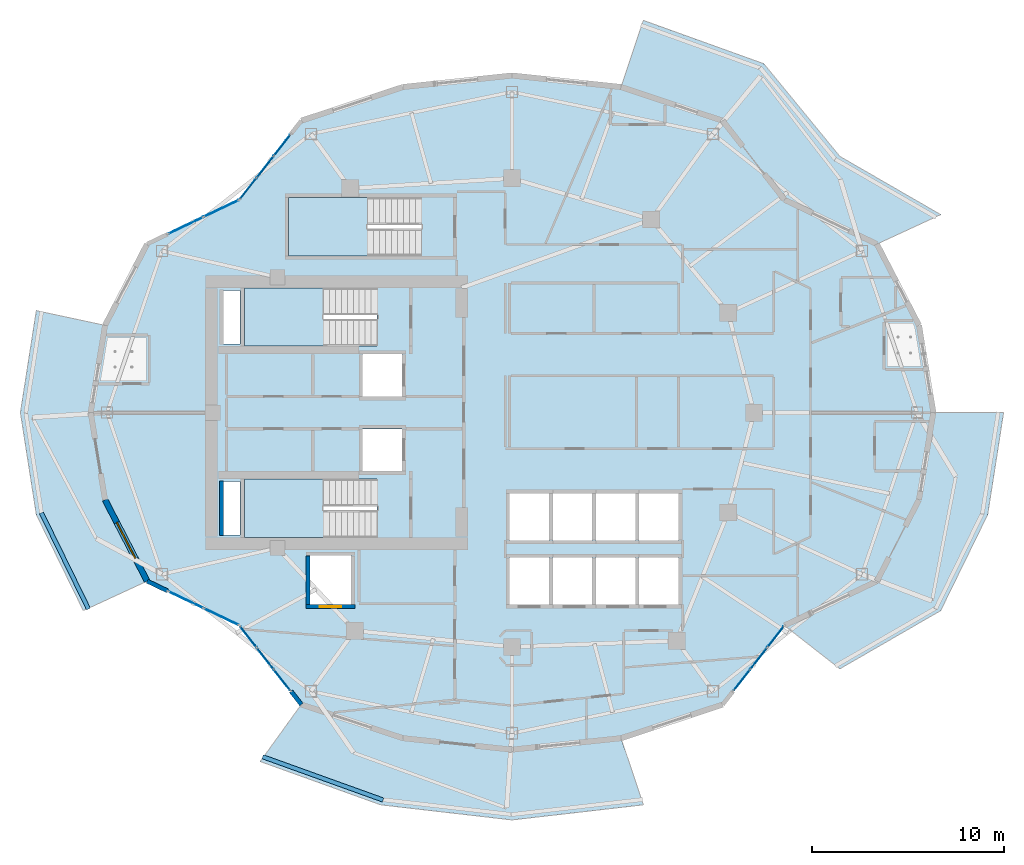
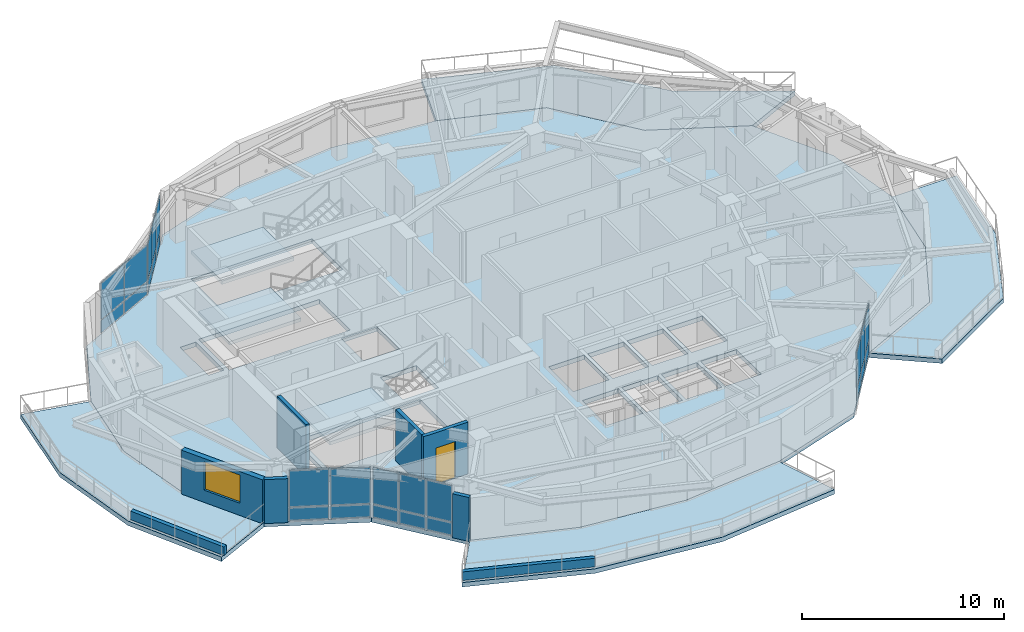
# One storey, part 7 of 19: 31 plates, 8 slabs, 8 walls, 1 door, 1 window, 2 openings, 8 elements without a shape of their own.
"""IFC4 building model written with IfcOpenShell, lengths in metres."""

from ifc_helpers import new_model, si_unit, direction, frame, frame_2d, origin, origin_2d, place, context, subcontext, project, spatial, polyline, rectangle, outline, extrude, material, layer, layer_set, type_object, element, fill, aggregate, save


model = new_model("IFC4")

# Units and contexts
model_context = context("Model", 3, precision=1e-05, world=origin(), true_north=direction((0.0, 1.0)))
body_context = subcontext(model_context, "Body", "Model", "MODEL_VIEW")
ifc_project = project(units=[si_unit("LENGTHUNIT", "METRE"), si_unit("AREAUNIT", "SQUARE_METRE"), si_unit("VOLUMEUNIT", "CUBIC_METRE"), si_unit("PLANEANGLEUNIT", "RADIAN"), si_unit("MASSUNIT", "GRAM", prefix="KILO")], contexts=[model_context])

# Site, building, storey
site_placement = place(None, origin())
site = spatial("IfcSite", under=ifc_project, at=site_placement, CompositionType="ELEMENT")
building_placement = place(site_placement, origin())
building = spatial("IfcBuilding", under=site, at=building_placement, Name="Kolvaren Gate Tower and Convention Centre", CompositionType="ELEMENT")
storey_placement = place(building_placement, frame((0.0, 0.0, 163.10009765625)))
storey = spatial("IfcBuildingStorey", under=building, at=storey_placement, Name="L42", CompositionType="ELEMENT", Elevation=163.10009765625)

# Plates
ifc_material_1 = material(Name="Perforated Anodized Bronze Aluminium Sheet 6 mm", Category="aluminium")
ifc_layer_1 = layer(ifc_material_1, 0.011962890625)
ifc_layer_set_1 = layer_set([ifc_layer_1], Name="Perforated Anodized Bronze Aluminium Sheet 6 mm")
plate_type_1 = type_object("IfcPlateType", Name="ARCH-PL-SCREEN-PERF", PredefinedType="SHEET", material=ifc_layer_set_1)
for number, where, z_axis, x_axis, name in (
    (1, (17.54638671875, 40.142333984375, 2.2900390625), (0.0, 0.0, 1.0), (0.616446487588, 0.787396804629, 0.0), "Tower L42 Perforated Bronze Solar Screen SS-08"),
    (2, (13.531494140625, 36.930419921875, 2.2900390625), (0.0, 0.0, 1.0), (0.901358389955, 0.433073957723, 0.0), "Tower L42 Perforated Bronze Solar Screen SS-09"),
    (3, (13.531494140625, 17.069580078125, 2.2900390625), (0.0, 0.0, 1.0), (0.901358389955, -0.433073957723, 0.0), "Tower L42 Perforated Bronze Solar Screen SS-14"),
    (4, (17.54638671875, 13.857666015625, 2.2900390625), (0.0, 0.0, 1.0), (0.616434119112, -0.787406487651, 0.0), "Tower L42 Perforated Bronze Solar Screen SS-15"),
    (5, (42.70361328125, 13.857666015625, 2.2900390625), (0.0, 0.0, 1.0), (0.616434119112, 0.787406487651, 0.0), "Tower L42 Perforated Bronze Solar Screen SS-20"),
):
    element("IfcPlate", number, at=place(storey_placement, frame(where, z_axis=z_axis, x_axis=x_axis)), inside=storey, type_object=plate_type_1, Name=name, PredefinedType="SHEET", context=body_context, shape_type="SweptSolid", body=[
        extrude(rectangle(XDim=2.60009765625, YDim=0.011962890625, at=origin_2d()), origin(), (0.0, 0.0, 1.0), 0.840087890625),
    ])

# Curtain wall, plates
ifc_material_2 = material(Name="Anodized Architectural Aluminium Alloy 6063-T6", Category="aluminium")
ifc_layer_2 = layer(ifc_material_2, 0.159912109375)
ifc_layer_set_2 = layer_set([ifc_layer_2], Name="Anodized Architectural Aluminium Alloy 6063-T6")
curtain_wall_type = type_object("IfcCurtainWallType", Name="CW-HTL-UNIT", PredefinedType="NOTDEFINED", material=ifc_layer_set_2)
curtain_wall_1_placement = place(storey_placement, origin())
curtain_wall_1 = element("IfcCurtainWall", 6, at=curtain_wall_1_placement, inside=storey, type_object=curtain_wall_type, Name="Tower L42 Unitised Curtain Wall CW-HTL-UNIT Bay 08", PredefinedType="NOTDEFINED")
ifc_material_3 = material(Name="Low-E Triple Insulated Glazing Unit 44 mm", Category="glass")
ifc_layer_3 = layer(ifc_material_3, 0.0439453125)
ifc_layer_set_3 = layer_set([ifc_layer_3], Name="Low-E Triple Insulated Glazing Unit 44 mm")
plate_type_2 = type_object("IfcPlateType", Name="CW-PL-IGU-44", PredefinedType="CURTAIN_PANEL", material=ifc_layer_set_3)
plate_1_placement = place(storey_placement, frame((16.39306640625, 38.669189453125, 0.88232421875), z_axis=(0.0, 0.0, 1.0), x_axis=(0.616449056034, 0.787394793807, 0.0)))
plate_1 = element("IfcPlate", 7, at=plate_1_placement, type_object=plate_type_2, Name="CW-03 panel 1.2", PredefinedType="CURTAIN_PANEL", context=body_context, shape_type="SweptSolid", body=[
    extrude(rectangle(XDim=1.3515625, YDim=0.0439453125, at=origin_2d()), origin(), (0.0, 0.0, 1.0), 2.1826171875),
])
plate_2_placement = place(storey_placement, frame((17.2763671875, 39.79736328125, 0.88232421875), z_axis=(0.0, 0.0, 1.0), x_axis=(0.616449056034, 0.787394793807, 0.0)))
plate_2 = element("IfcPlate", 8, at=plate_2_placement, type_object=plate_type_2, Name="CW-03 panel 2.2", PredefinedType="CURTAIN_PANEL", context=body_context, shape_type="SweptSolid", body=[
    extrude(rectangle(XDim=1.384033203125, YDim=0.0439453125, at=origin_2d()), origin(), (0.0, 0.0, 1.0), 2.1826171875),
])
plate_3_placement = place(storey_placement, frame((18.15966796875, 40.925537109375, 0.88232421875), z_axis=(0.0, 0.0, 1.0), x_axis=(0.616449056034, 0.787394793807, 0.0)))
plate_3 = element("IfcPlate", 9, at=plate_3_placement, type_object=plate_type_2, Name="CW-03 panel 3.2", PredefinedType="CURTAIN_PANEL", context=body_context, shape_type="SweptSolid", body=[
    extrude(rectangle(XDim=1.3515625, YDim=0.0439453125, at=origin_2d()), origin(), (0.0, 0.0, 1.0), 2.1826171875),
])

curtain_wall_2_placement = place(storey_placement, origin())
curtain_wall_2 = element("IfcCurtainWall", 10, at=curtain_wall_2_placement, inside=storey, type_object=curtain_wall_type, Name="Tower L42 Unitised Curtain Wall CW-HTL-UNIT Bay 09", PredefinedType="NOTDEFINED")
plate_4_placement = place(storey_placement, frame((13.14208984375, 36.743408203125, 0.88232421875), z_axis=(0.0, 0.0, 1.0), x_axis=(0.901362639973, 0.433065112035, 0.0)))
plate_4 = element("IfcPlate", 11, at=plate_4_placement, type_object=plate_type_2, Name="CW-03 panel 1.2", PredefinedType="CURTAIN_PANEL", context=body_context, shape_type="SweptSolid", body=[
    extrude(rectangle(XDim=1.980224609375, YDim=0.0439453125, at=origin_2d()), origin(), (0.0, 0.0, 1.0), 2.1826171875),
])
plate_5_placement = place(storey_placement, frame((14.985595703125, 37.629150390625, 0.88232421875), z_axis=(0.0, 0.0, 1.0), x_axis=(0.901362639973, 0.433065112035, 0.0)))
plate_5 = element("IfcPlate", 12, at=plate_5_placement, type_object=plate_type_2, Name="CW-03 panel 2.2", PredefinedType="CURTAIN_PANEL", context=body_context, shape_type="SweptSolid", body=[
    extrude(rectangle(XDim=1.980224609375, YDim=0.0439453125, at=origin_2d()), origin(), (0.0, 0.0, 1.0), 2.1826171875),
])

curtain_wall_3_placement = place(storey_placement, origin())
curtain_wall_3 = element("IfcCurtainWall", 13, at=curtain_wall_3_placement, inside=storey, type_object=curtain_wall_type, Name="Tower L42 Unitised Curtain Wall CW-HTL-UNIT Bay 14", PredefinedType="NOTDEFINED")
plate_6_placement = place(storey_placement, frame((13.14208984375, 17.256591796875, 0.88232421875), z_axis=(0.0, 0.0, 1.0), x_axis=(0.901362639973, -0.433065112035, 0.0)))
plate_6 = element("IfcPlate", 14, at=plate_6_placement, type_object=plate_type_2, Name="CW-03 panel 1.2", PredefinedType="CURTAIN_PANEL", context=body_context, shape_type="SweptSolid", body=[
    extrude(rectangle(XDim=1.980224609375, YDim=0.0439453125, at=origin_2d()), origin(), (0.0, 0.0, 1.0), 2.1826171875),
])
plate_7_placement = place(storey_placement, frame((14.985595703125, 16.370849609375, 0.88232421875), z_axis=(0.0, 0.0, 1.0), x_axis=(0.901362639973, -0.433065112035, 0.0)))
plate_7 = element("IfcPlate", 15, at=plate_7_placement, type_object=plate_type_2, Name="CW-03 panel 2.2", PredefinedType="CURTAIN_PANEL", context=body_context, shape_type="SweptSolid", body=[
    extrude(rectangle(XDim=1.980224609375, YDim=0.0439453125, at=origin_2d()), origin(), (0.0, 0.0, 1.0), 2.1826171875),
])

curtain_wall_4_placement = place(storey_placement, origin())
curtain_wall_4 = element("IfcCurtainWall", 16, at=curtain_wall_4_placement, inside=storey, type_object=curtain_wall_type, Name="Tower L42 Unitised Curtain Wall CW-HTL-UNIT Bay 15", PredefinedType="NOTDEFINED")
plate_8_placement = place(storey_placement, frame((16.39306640625, 15.330810546875, 0.88232421875), z_axis=(0.0, 0.0, 1.0), x_axis=(0.616423627213, -0.787414701294, 0.0)))
plate_8 = element("IfcPlate", 17, at=plate_8_placement, type_object=plate_type_2, Name="CW-03 panel 1.2", PredefinedType="CURTAIN_PANEL", context=body_context, shape_type="SweptSolid", body=[
    extrude(rectangle(XDim=1.3515625, YDim=0.0439453125, at=origin_2d()), origin(), (0.0, 0.0, 1.0), 2.1826171875),
])
plate_9_placement = place(storey_placement, frame((17.2763671875, 14.20263671875, 0.88232421875), z_axis=(0.0, 0.0, 1.0), x_axis=(0.616423627213, -0.787414701294, 0.0)))
plate_9 = element("IfcPlate", 18, at=plate_9_placement, type_object=plate_type_2, Name="CW-03 panel 2.2", PredefinedType="CURTAIN_PANEL", context=body_context, shape_type="SweptSolid", body=[
    extrude(rectangle(XDim=1.384033203125, YDim=0.0439453125, at=origin_2d()), origin(), (0.0, 0.0, 1.0), 2.1826171875),
])
plate_10_placement = place(storey_placement, frame((18.159423828125, 13.074462890625, 0.88232421875), z_axis=(0.0, 0.0, 1.0), x_axis=(0.616423627213, -0.787414701294, 0.0)))
plate_10 = element("IfcPlate", 19, at=plate_10_placement, type_object=plate_type_2, Name="CW-03 panel 3.2", PredefinedType="CURTAIN_PANEL", context=body_context, shape_type="SweptSolid", body=[
    extrude(rectangle(XDim=1.3515625, YDim=0.0439453125, at=origin_2d()), origin(), (0.0, 0.0, 1.0), 2.1826171875),
])

curtain_wall_5_placement = place(storey_placement, origin())
curtain_wall_5 = element("IfcCurtainWall", 20, at=curtain_wall_5_placement, inside=storey, type_object=curtain_wall_type, Name="Tower L42 Unitised Curtain Wall CW-HTL-UNIT Bay 20", PredefinedType="NOTDEFINED")
plate_11_placement = place(storey_placement, frame((42.09033203125, 13.074462890625, 0.88232421875), z_axis=(0.0, 0.0, 1.0), x_axis=(0.616437890084, 0.787403535469, 0.0)))
plate_11 = element("IfcPlate", 21, at=plate_11_placement, type_object=plate_type_2, Name="CW-03 panel 1.2", PredefinedType="CURTAIN_PANEL", context=body_context, shape_type="SweptSolid", body=[
    extrude(rectangle(XDim=1.3515625, YDim=0.0439453125, at=origin_2d()), origin(), (0.0, 0.0, 1.0), 2.1826171875),
])
plate_12_placement = place(storey_placement, frame((42.9736328125, 14.20263671875, 0.88232421875), z_axis=(0.0, 0.0, 1.0), x_axis=(0.616437890084, 0.787403535469, 0.0)))
plate_12 = element("IfcPlate", 22, at=plate_12_placement, type_object=plate_type_2, Name="CW-03 panel 2.2", PredefinedType="CURTAIN_PANEL", context=body_context, shape_type="SweptSolid", body=[
    extrude(rectangle(XDim=1.384033203125, YDim=0.0439453125, at=origin_2d()), origin(), (0.0, 0.0, 1.0), 2.1826171875),
])
plate_13_placement = place(storey_placement, frame((43.85693359375, 15.330810546875, 0.88232421875), z_axis=(0.0, 0.0, 1.0), x_axis=(0.616437890084, 0.787403535469, 0.0)))
plate_13 = element("IfcPlate", 23, at=plate_13_placement, type_object=plate_type_2, Name="CW-03 panel 3.2", PredefinedType="CURTAIN_PANEL", context=body_context, shape_type="SweptSolid", body=[
    extrude(rectangle(XDim=1.3515625, YDim=0.0439453125, at=origin_2d()), origin(), (0.0, 0.0, 1.0), 2.1826171875),
])

# Plate
ifc_material_4 = material(Name="Solar-Control Laminated Curtain Glazing 36 mm", Category="glass")
ifc_layer_4 = layer(ifc_material_4, 0.035888671875)
ifc_layer_set_4 = layer_set([ifc_layer_4], Name="Solar-Control Laminated Curtain Glazing 36 mm")
plate_type_3 = type_object("IfcPlateType", Name="CW-PL-SPAN-36", PredefinedType="CURTAIN_PANEL", material=ifc_layer_set_4)
plate_14_placement = place(storey_placement, frame((16.39306640625, 38.669189453125, 0.06494140625), z_axis=(0.0, 0.0, 1.0), x_axis=(0.616449056034, 0.787394793807, 0.0)))
plate_14 = element("IfcPlate", 24, at=plate_14_placement, type_object=plate_type_3, Name="CW-03 panel 1.1", PredefinedType="CURTAIN_PANEL", context=body_context, shape_type="SweptSolid", body=[
    extrude(rectangle(XDim=1.3515625, YDim=0.035888671875, at=origin_2d()), origin(), (0.0, 0.0, 1.0), 0.75244140625),
])

plate_15_placement = place(storey_placement, frame((17.2763671875, 39.79736328125, 0.06494140625), z_axis=(0.0, 0.0, 1.0), x_axis=(0.616449056034, 0.787394793807, 0.0)))
plate_15 = element("IfcPlate", 25, at=plate_15_placement, type_object=plate_type_3, Name="CW-03 panel 2.1", PredefinedType="CURTAIN_PANEL", context=body_context, shape_type="SweptSolid", body=[
    extrude(rectangle(XDim=1.384033203125, YDim=0.035888671875, at=origin_2d()), origin(), (0.0, 0.0, 1.0), 0.75244140625),
])

plate_16_placement = place(storey_placement, frame((18.15966796875, 40.925537109375, 0.06494140625), z_axis=(0.0, 0.0, 1.0), x_axis=(0.616449056034, 0.787394793807, 0.0)))
plate_16 = element("IfcPlate", 26, at=plate_16_placement, type_object=plate_type_3, Name="CW-03 panel 3.1", PredefinedType="CURTAIN_PANEL", context=body_context, shape_type="SweptSolid", body=[
    extrude(rectangle(XDim=1.3515625, YDim=0.035888671875, at=origin_2d()), origin(), (0.0, 0.0, 1.0), 0.75244140625),
])

aggregate(curtain_wall_1, [plate_14, plate_1, plate_15, plate_2, plate_16, plate_3])

plate_17_placement = place(storey_placement, frame((13.14208984375, 36.743408203125, 0.06494140625), z_axis=(0.0, 0.0, 1.0), x_axis=(0.901362639973, 0.433065112035, 0.0)))
plate_17 = element("IfcPlate", 27, at=plate_17_placement, type_object=plate_type_3, Name="CW-03 panel 1.1", PredefinedType="CURTAIN_PANEL", context=body_context, shape_type="SweptSolid", body=[
    extrude(rectangle(XDim=1.980224609375, YDim=0.035888671875, at=origin_2d()), origin(), (0.0, 0.0, 1.0), 0.75244140625),
])

plate_18_placement = place(storey_placement, frame((14.985595703125, 37.629150390625, 0.06494140625), z_axis=(0.0, 0.0, 1.0), x_axis=(0.901362639973, 0.433065112035, 0.0)))
plate_18 = element("IfcPlate", 28, at=plate_18_placement, type_object=plate_type_3, Name="CW-03 panel 2.1", PredefinedType="CURTAIN_PANEL", context=body_context, shape_type="SweptSolid", body=[
    extrude(rectangle(XDim=1.980224609375, YDim=0.035888671875, at=origin_2d()), origin(), (0.0, 0.0, 1.0), 0.75244140625),
])

aggregate(curtain_wall_2, [plate_17, plate_4, plate_18, plate_5])

plate_19_placement = place(storey_placement, frame((13.14208984375, 17.256591796875, 0.06494140625), z_axis=(0.0, 0.0, 1.0), x_axis=(0.901362639973, -0.433065112035, 0.0)))
plate_19 = element("IfcPlate", 29, at=plate_19_placement, type_object=plate_type_3, Name="CW-03 panel 1.1", PredefinedType="CURTAIN_PANEL", context=body_context, shape_type="SweptSolid", body=[
    extrude(rectangle(XDim=1.980224609375, YDim=0.035888671875, at=origin_2d()), origin(), (0.0, 0.0, 1.0), 0.75244140625),
])

plate_20_placement = place(storey_placement, frame((14.985595703125, 16.370849609375, 0.06494140625), z_axis=(0.0, 0.0, 1.0), x_axis=(0.901362639973, -0.433065112035, 0.0)))
plate_20 = element("IfcPlate", 30, at=plate_20_placement, type_object=plate_type_3, Name="CW-03 panel 2.1", PredefinedType="CURTAIN_PANEL", context=body_context, shape_type="SweptSolid", body=[
    extrude(rectangle(XDim=1.980224609375, YDim=0.035888671875, at=origin_2d()), origin(), (0.0, 0.0, 1.0), 0.75244140625),
])

aggregate(curtain_wall_3, [plate_19, plate_6, plate_20, plate_7])

plate_21_placement = place(storey_placement, frame((16.39306640625, 15.330810546875, 0.06494140625), z_axis=(0.0, 0.0, 1.0), x_axis=(0.616423627213, -0.787414701294, 0.0)))
plate_21 = element("IfcPlate", 31, at=plate_21_placement, type_object=plate_type_3, Name="CW-03 panel 1.1", PredefinedType="CURTAIN_PANEL", context=body_context, shape_type="SweptSolid", body=[
    extrude(rectangle(XDim=1.3515625, YDim=0.035888671875, at=origin_2d()), origin(), (0.0, 0.0, 1.0), 0.75244140625),
])

plate_22_placement = place(storey_placement, frame((17.2763671875, 14.20263671875, 0.06494140625), z_axis=(0.0, 0.0, 1.0), x_axis=(0.616423627213, -0.787414701294, 0.0)))
plate_22 = element("IfcPlate", 32, at=plate_22_placement, type_object=plate_type_3, Name="CW-03 panel 2.1", PredefinedType="CURTAIN_PANEL", context=body_context, shape_type="SweptSolid", body=[
    extrude(rectangle(XDim=1.384033203125, YDim=0.035888671875, at=origin_2d()), origin(), (0.0, 0.0, 1.0), 0.75244140625),
])

plate_23_placement = place(storey_placement, frame((18.159423828125, 13.074462890625, 0.06494140625), z_axis=(0.0, 0.0, 1.0), x_axis=(0.616423627213, -0.787414701294, 0.0)))
plate_23 = element("IfcPlate", 33, at=plate_23_placement, type_object=plate_type_3, Name="CW-03 panel 3.1", PredefinedType="CURTAIN_PANEL", context=body_context, shape_type="SweptSolid", body=[
    extrude(rectangle(XDim=1.3515625, YDim=0.035888671875, at=origin_2d()), origin(), (0.0, 0.0, 1.0), 0.75244140625),
])

aggregate(curtain_wall_4, [plate_21, plate_8, plate_22, plate_9, plate_23, plate_10])

plate_24_placement = place(storey_placement, frame((42.09033203125, 13.074462890625, 0.06494140625), z_axis=(0.0, 0.0, 1.0), x_axis=(0.616437890084, 0.787403535469, 0.0)))
plate_24 = element("IfcPlate", 34, at=plate_24_placement, type_object=plate_type_3, Name="CW-03 panel 1.1", PredefinedType="CURTAIN_PANEL", context=body_context, shape_type="SweptSolid", body=[
    extrude(rectangle(XDim=1.3515625, YDim=0.035888671875, at=origin_2d()), origin(), (0.0, 0.0, 1.0), 0.75244140625),
])

plate_25_placement = place(storey_placement, frame((42.9736328125, 14.20263671875, 0.06494140625), z_axis=(0.0, 0.0, 1.0), x_axis=(0.616437890084, 0.787403535469, 0.0)))
plate_25 = element("IfcPlate", 35, at=plate_25_placement, type_object=plate_type_3, Name="CW-03 panel 2.1", PredefinedType="CURTAIN_PANEL", context=body_context, shape_type="SweptSolid", body=[
    extrude(rectangle(XDim=1.384033203125, YDim=0.035888671875, at=origin_2d()), origin(), (0.0, 0.0, 1.0), 0.75244140625),
])

plate_26_placement = place(storey_placement, frame((43.85693359375, 15.330810546875, 0.06494140625), z_axis=(0.0, 0.0, 1.0), x_axis=(0.616437890084, 0.787403535469, 0.0)))
plate_26 = element("IfcPlate", 36, at=plate_26_placement, type_object=plate_type_3, Name="CW-03 panel 3.1", PredefinedType="CURTAIN_PANEL", context=body_context, shape_type="SweptSolid", body=[
    extrude(rectangle(XDim=1.3515625, YDim=0.035888671875, at=origin_2d()), origin(), (0.0, 0.0, 1.0), 0.75244140625),
])

aggregate(curtain_wall_5, [plate_24, plate_11, plate_25, plate_12, plate_26, plate_13])

# Slabs
ifc_material_5 = material(Name="Concrete C50/60", Category="concrete")
ifc_layer_5 = layer(ifc_material_5, 0.27001953125)
ifc_layer_set_5 = layer_set([ifc_layer_5], Name="Concrete C50/60")
slab_type_1 = type_object("IfcSlabType", Name="STR-SL-BALC-270", PredefinedType="FLOOR", material=ifc_layer_set_5)
slab_1_placement = place(storey_placement, frame((0.0, 0.0, -0.27001953125)))
element("IfcSlab", 37, at=slab_1_placement, inside=storey, type_object=slab_type_1, Name="Tower L42 Planted Balcony Terrace Slab 1 (North)", PredefinedType="FLOOR", context=body_context, shape_type="SweptSolid", body=[
    extrude(outline(polyline([(49.123291015625, 35.77490234375), (44.3134765625, 38.0859375), (41.09375, 42.19873046875), (35.802734375, 43.951904296875), (36.965087890625, 47.422607421875), (43.235595703125, 45.16650390625), (47.197509765625, 40.33935546875), (52.446044921875, 37.309814453125), (49.123291015625, 35.77490234375)])), origin(), (0.0, 0.0, 1.0), 0.27001953125),
])
slab_2_placement = place(storey_placement, frame((0.0, 0.0, -0.27001953125)))
element("IfcSlab", 38, at=slab_2_placement, inside=storey, type_object=slab_type_1, Name="Tower L42 Planted Balcony Terrace Slab 2 (West)", PredefinedType="FLOOR", context=body_context, shape_type="SweptSolid", body=[
    extrude(outline(polyline([(8.93505859375, 31.542236328125), (8.1875, 27.0), (8.93505859375, 22.457763671875), (11.126708984375, 18.22509765625), (7.803955078125, 16.690185546875), (5.356201171875, 21.690673828125), (4.527587890625, 27.0), (5.356201171875, 32.309326171875), (8.93505859375, 31.542236328125)])), origin(), (0.0, 0.0, 1.0), 0.27001953125),
])
slab_3_placement = place(storey_placement, frame((0.0, 0.0, -0.27001953125)))
element("IfcSlab", 39, at=slab_3_placement, inside=storey, type_object=slab_type_1, Name="Tower L42 Planted Balcony Terrace Slab 3 (South)", PredefinedType="FLOOR", context=body_context, shape_type="SweptSolid", body=[
    extrude(outline(polyline([(19.15625, 11.80126953125), (24.447265625, 10.048095703125), (30.125, 9.449951171875), (35.802734375, 10.048095703125), (36.965087890625, 6.577392578125), (30.125, 5.7900390625), (23.284912109375, 6.577392578125), (17.014404296875, 8.83349609375), (19.15625, 11.80126953125)])), origin(), (0.0, 0.0, 1.0), 0.27001953125),
])
slab_4_placement = place(storey_placement, frame((0.0, 0.0, -0.27001953125)))
element("IfcSlab", 40, at=slab_4_placement, inside=storey, type_object=slab_type_1, Name="Tower L42 Planted Balcony Terrace Slab 4 (East)", PredefinedType="FLOOR", context=body_context, shape_type="SweptSolid", body=[
    extrude(outline(polyline([(44.3134765625, 15.9140625), (49.123291015625, 18.22509765625), (51.31494140625, 22.457763671875), (52.0625, 27.0), (55.722412109375, 27.0), (54.893798828125, 21.690673828125), (52.446044921875, 16.690185546875), (47.197509765625, 13.66064453125), (44.3134765625, 15.9140625)])), origin(), (0.0, 0.0, 1.0), 0.27001953125),
])
ifc_material_6 = material(Name="Concrete C40/50", Category="concrete")
ifc_layer_6 = layer(ifc_material_6, 0.27001953125)
ifc_layer_set_6 = layer_set([ifc_layer_6], Name="Concrete C40/50")
slab_type_2 = type_object("IfcSlabType", Name="STR-SL-FLR-270", PredefinedType="FLOOR", material=ifc_layer_set_6)
slab_5_placement = place(storey_placement, frame((0.0, 0.0, -0.27001953125)))
element("IfcSlab", 41, at=slab_5_placement, inside=storey, type_object=slab_type_2, Name="Tower L42 Structural Floor Slab", PredefinedType="FLOOR", context=body_context, shape_type="SweptSolid", body=[
    extrude(outline(polyline([(52.0625, 27.0), (51.31494140625, 31.542236328125), (49.123291015625, 35.77490234375), (44.3134765625, 38.0859375), (41.09375, 42.19873046875), (35.802734375, 43.951904296875), (30.125, 44.550048828125), (24.447265625, 43.951904296875), (19.15625, 42.19873046875), (15.9365234375, 38.0859375), (11.126708984375, 35.77490234375), (8.93505859375, 31.542236328125), (8.1875, 27.0), (8.93505859375, 22.457763671875), (11.126708984375, 18.22509765625), (15.9365234375, 15.9140625), (19.15625, 11.80126953125), (24.447265625, 10.048095703125), (30.125, 9.449951171875), (35.802734375, 10.048095703125), (41.09375, 11.80126953125), (44.3134765625, 15.9140625), (49.123291015625, 18.22509765625), (51.31494140625, 22.457763671875), (52.0625, 27.0)]), holes=[polyline([(36.75, 17.0), (36.75, 19.449951171875), (38.800048828125, 19.449951171875), (38.800048828125, 17.0), (36.75, 17.0)]), polyline([(36.75, 20.35009765625), (36.75, 22.800048828125), (38.800048828125, 22.800048828125), (38.800048828125, 20.35009765625), (36.75, 20.35009765625)]), polyline([(34.5, 17.0), (34.5, 19.449951171875), (36.550048828125, 19.449951171875), (36.550048828125, 17.0), (34.5, 17.0)]), polyline([(34.5, 20.35009765625), (34.5, 22.800048828125), (36.550048828125, 22.800048828125), (36.550048828125, 20.35009765625), (34.5, 20.35009765625)]), polyline([(32.25, 17.0), (32.25, 19.449951171875), (34.300048828125, 19.449951171875), (34.300048828125, 17.0), (32.25, 17.0)]), polyline([(32.25, 20.35009765625), (32.25, 22.800048828125), (34.300048828125, 22.800048828125), (34.300048828125, 20.35009765625), (32.25, 20.35009765625)]), polyline([(30.0, 17.0), (30.0, 19.449951171875), (32.050048828125, 19.449951171875), (32.050048828125, 17.0), (30.0, 17.0)]), polyline([(30.0, 20.35009765625), (30.0, 22.800048828125), (32.050048828125, 22.800048828125), (32.050048828125, 20.35009765625), (30.0, 20.35009765625)]), polyline([(25.39990234375, 38.199951171875), (25.39990234375, 35.159912109375), (18.5, 35.159912109375), (18.5, 38.199951171875), (25.39990234375, 38.199951171875)]), polyline([(22.35009765625, 23.9599609375), (22.35009765625, 26.159912109375), (24.39990234375, 26.159912109375), (24.39990234375, 23.9599609375), (22.35009765625, 23.9599609375)]), polyline([(22.35009765625, 27.840087890625), (22.35009765625, 30.0400390625), (24.39990234375, 30.0400390625), (24.39990234375, 27.840087890625), (22.35009765625, 27.840087890625)]), polyline([(23.10009765625, 23.5400390625), (23.10009765625, 20.5), (16.199951171875, 20.5), (16.199951171875, 23.5400390625), (23.10009765625, 23.5400390625)]), polyline([(23.10009765625, 33.5), (23.10009765625, 30.4599609375), (16.199951171875, 30.4599609375), (16.199951171875, 33.5), (23.10009765625, 33.5)]), polyline([(19.60009765625, 17.0), (19.60009765625, 19.550048828125), (21.75, 19.550048828125), (21.75, 17.0), (19.60009765625, 17.0)]), polyline([(15.080078125, 20.6298828125), (15.080078125, 23.419921875), (15.969970703125, 23.419921875), (15.969970703125, 20.6298828125), (15.080078125, 20.6298828125)]), polyline([(15.080078125, 30.580078125), (15.080078125, 33.3701171875), (15.969970703125, 33.3701171875), (15.969970703125, 30.580078125), (15.080078125, 30.580078125)])]), origin(), (0.0, 0.0, 1.0), 0.27001953125),
])

# Stair, slab
stair_type = type_object("IfcStairType", Name="STR-STAIR-CORE", PredefinedType="HALF_TURN_STAIR", material=ifc_material_5)
stair_1_placement = place(storey_placement, origin())
stair_1 = element("IfcStair", 42, at=stair_1_placement, inside=storey, type_object=stair_type, Name="L42 Tower North Exit Stair ST-T1", PredefinedType="HALF_TURN_STAIR")
ifc_layer_7 = layer(ifc_material_5, 0.199951171875)
ifc_layer_set_7 = layer_set([ifc_layer_7], Name="Concrete C50/60")
slab_type_3 = type_object("IfcSlabType", Name="STR-SL-LAND-200", PredefinedType="LANDING", material=ifc_layer_set_7)
slab_6_placement = place(storey_placement, frame((0.0, 0.0, 1.5)))
slab_6 = element("IfcSlab", 43, at=slab_6_placement, type_object=slab_type_3, Name="ST-T1 landing 1", PredefinedType="LANDING", context=body_context, shape_type="SweptSolid", body=[
    extrude(outline(polyline([(20.31005859375, 33.5), (16.199951171875, 33.5), (16.199951171875, 30.4599609375), (20.31005859375, 30.4599609375), (20.31005859375, 33.5)])), origin(), (0.0, 0.0, 1.0), 0.199951171875),
])
aggregate(stair_1, [slab_6])

stair_2_placement = place(storey_placement, origin())
stair_2 = element("IfcStair", 44, at=stair_2_placement, inside=storey, type_object=stair_type, Name="L42 Tower South Exit Stair ST-T2", PredefinedType="HALF_TURN_STAIR")
slab_7_placement = place(storey_placement, frame((0.0, 0.0, 1.5)))
slab_7 = element("IfcSlab", 45, at=slab_7_placement, type_object=slab_type_3, Name="ST-T2 landing 1", PredefinedType="LANDING", context=body_context, shape_type="SweptSolid", body=[
    extrude(outline(polyline([(20.31005859375, 23.5400390625), (16.199951171875, 23.5400390625), (16.199951171875, 20.5), (20.31005859375, 20.5), (20.31005859375, 23.5400390625)])), origin(), (0.0, 0.0, 1.0), 0.199951171875),
])
aggregate(stair_2, [slab_7])

stair_3_placement = place(storey_placement, origin())
stair_3 = element("IfcStair", 46, at=stair_3_placement, inside=storey, type_object=stair_type, Name="L42 Tower Mid-Zone Exit Stair ST-T3", PredefinedType="HALF_TURN_STAIR")
slab_8_placement = place(storey_placement, frame((0.0, 0.0, 1.5)))
slab_8 = element("IfcSlab", 47, at=slab_8_placement, type_object=slab_type_3, Name="ST-T3 landing 1", PredefinedType="LANDING", context=body_context, shape_type="SweptSolid", body=[
    extrude(outline(polyline([(22.610107421875, 38.199951171875), (18.5, 38.199951171875), (18.5, 35.159912109375), (22.610107421875, 35.159912109375), (22.610107421875, 38.199951171875)])), origin(), (0.0, 0.0, 1.0), 0.199951171875),
])
aggregate(stair_3, [slab_8])

# Walls
ifc_material_7 = material(Name="Bogota Sabana Bush-Hammered Sandstone Cladding", Category="masonry")
ifc_layer_8 = layer(ifc_material_7, 0.219970703125)
ifc_layer_set_8 = layer_set([ifc_layer_8], Name="Bogota Sabana Bush-Hammered Sandstone Cladding")
wall_type_1 = type_object("IfcWallType", Name="ARCH-WL-PIER-220", PredefinedType="SOLIDWALL", material=ifc_layer_set_8)
wall_1_placement = place(storey_placement, frame((11.126708984375, 18.22509765625, 0.0), z_axis=(0.0, 0.0, 1.0), x_axis=(0.901264843027, -0.433268603437, 0.0)))
element("IfcWall", 48, at=wall_1_placement, inside=storey, type_object=wall_type_1, Name="Tower L42 Unitised Curtain Wall CW-HTL-UNIT Bay 14 Left Column Pier Wrap", PredefinedType="SOLIDWALL", context=body_context, shape_type="SweptSolid", body=[
    extrude(rectangle(XDim=1.18115234375, YDim=0.219970703125, at=frame_2d((0.590576171875, 0.0))), origin(), (0.0, 0.0, 1.0), 2.65283203125),
])
wall_2_placement = place(storey_placement, frame((18.6162109375, 12.4912109375, 0.0), z_axis=(0.0, 0.0, 1.0), x_axis=(0.616368366719, -0.787457958566, 0.0)))
element("IfcWall", 49, at=wall_2_placement, inside=storey, type_object=wall_type_1, Name="Tower L42 Unitised Curtain Wall CW-HTL-UNIT Bay 15 Right Column Pier Wrap", PredefinedType="SOLIDWALL", context=body_context, shape_type="SweptSolid", body=[
    extrude(rectangle(XDim=0.876220703125, YDim=0.219970703125, at=frame_2d((0.43798828125, 0.0))), origin(), (0.0, 0.0, 1.0), 2.65283203125),
])
ifc_material_8 = material(Name="Piedmont Cream Honed Limestone Cladding", Category="masonry")
ifc_layer_9 = layer(ifc_material_8, 0.219970703125)
ifc_layer_set_9 = layer_set([ifc_layer_9], Name="Piedmont Cream Honed Limestone Cladding")
wall_type_2 = type_object("IfcWallType", Name="ARCH-WL-PLANTER-220", PredefinedType="PARAPET", material=ifc_layer_set_9)
wall_3_placement = place(storey_placement, frame((5.6220703125, 21.77880859375, 0.0), z_axis=(0.0, 0.0, 1.0), x_axis=(0.439637174641, -0.898175458735, 0.0)))
element("IfcWall", 50, at=wall_3_placement, inside=storey, type_object=wall_type_2, Name="Vertical-Forest Balcony Stone Planter Kerb PK-L42-2.3", PredefinedType="PARAPET", context=body_context, shape_type="SweptSolid", body=[
    extrude(rectangle(XDim=5.567138671875, YDim=0.219970703125, at=frame_2d((2.78369140625, 0.0))), origin(), (0.0, 0.0, 1.0), 0.52001953125),
])
wall_4_placement = place(storey_placement, frame((17.142822265625, 9.082275390625, 0.0), z_axis=(0.0, 0.0, 1.0), x_axis=(0.940948576924, -0.338549517184, 0.0)))
element("IfcWall", 51, at=wall_4_placement, inside=storey, type_object=wall_type_2, Name="Vertical-Forest Balcony Stone Planter Kerb PK-L42-3.1", PredefinedType="PARAPET", context=body_context, shape_type="SweptSolid", body=[
    extrude(rectangle(XDim=6.6640625, YDim=0.219970703125, at=frame_2d((3.33203125, 0.0))), origin(), (0.0, 0.0, 1.0), 0.52001953125),
])

# Wall, opening, door
ifc_material_9 = material(Name="Autoclaved Aerated Masonry Blockwork Class 4 (4.0 MPa)", Category="masonry")
ifc_layer_10 = layer(ifc_material_9, 0.199951171875)
ifc_layer_set_10 = layer_set([ifc_layer_10], Name="Autoclaved Aerated Masonry Blockwork Class 4 (4.0 MPa)")
wall_type_3 = type_object("IfcWallType", Name="ARCH-WL-SHAFT-200", PredefinedType="SOLIDWALL", material=ifc_layer_set_10)
wall_5_placement = place(storey_placement, frame((19.39990234375, 16.89990234375, 0.0), z_axis=(0.0, 0.0, 1.0), x_axis=(1.0, 0.0, 0.0)))
wall_5 = element("IfcWall", 52, at=wall_5_placement, inside=storey, type_object=wall_type_3, Name="Elevator SV-01 L42 Fire Shaft Wall S", PredefinedType="SOLIDWALL", context=body_context, shape_type="SweptSolid", body=[
    extrude(rectangle(XDim=2.550048828125, YDim=0.199951171875, at=frame_2d((1.27490234375, 0.0))), origin(), (0.0, 0.0, 1.0), 3.1298828125),
])
opening_1_placement = place(wall_5_placement, frame((0.72509765625, 0.0, 0.0)))
opening_1 = element("IfcOpeningElement", 53, at=opening_1_placement, cuts=wall_5, Name="Opening LD", PredefinedType="OPENING", context=body_context, shape_type="SweptSolid", body=[
    extrude(rectangle(XDim=1.10009765625, YDim=2.199951171875, at=frame_2d((0.550048828125, 1.10009765625))), frame((0.0, 0.10986328125, 0.0), z_axis=(0.0, -1.0, 0.0), x_axis=(1.0, 0.0, 0.0)), (0.0, 0.0, 1.0), 0.219970703125),
])
ifc_material_10 = material(Name="Brushed Stainless Steel Grade 316L", Category="steel")
door_type = type_object("IfcDoorType", Name="ARCH-DR-LIFT-1100", OperationType="SLIDING_TO_LEFT", PredefinedType="DOOR", material=ifc_material_10)
door_placement = place(opening_1_placement, origin())
door = element("IfcDoor", 54, at=door_placement, inside=storey, type_object=door_type, Name="Elevator SV-01 L42 Sliding Landing Door", OperationType="SLIDING_TO_LEFT", OverallHeight=2.199951171875, OverallWidth=1.10009765625, PredefinedType="DOOR", context=body_context, shape_type="SweptSolid", body=[
    extrude(rectangle(XDim=1.10009765625, YDim=2.199951171875, at=frame_2d((0.550048828125, 1.10009765625))), frame((0.0, 0.02490234375, 0.0), z_axis=(0.0, -1.0, 0.0), x_axis=(1.0, 0.0, 0.0)), (0.0, 0.0, 1.0), 0.050048828125),
])
fill(opening_1, door)

# Walls
wall_6_placement = place(storey_placement, frame((19.5, 17.010009765625, 0.0), z_axis=(0.0, 0.0, 1.0), x_axis=(0.0, 1.0, 0.0)))
element("IfcWall", 55, at=wall_6_placement, inside=storey, type_object=wall_type_3, Name="Elevator SV-01 L42 Fire Shaft Wall W", PredefinedType="SOLIDWALL", context=body_context, shape_type="SweptSolid", body=[
    extrude(rectangle(XDim=2.530029296875, YDim=0.199951171875, at=frame_2d((1.26513671875, 0.0))), origin(), (0.0, 0.0, 1.0), 3.1298828125),
])
wall_7_placement = place(storey_placement, frame((14.989990234375, 20.60009765625, 0.0), z_axis=(0.0, 0.0, 1.0), x_axis=(0.0, 1.0, 0.0)))
element("IfcWall", 56, at=wall_7_placement, inside=storey, type_object=wall_type_3, Name="Vertical Shaft MPR L42 EI-120 Enclosure Wall W", PredefinedType="SOLIDWALL", context=body_context, shape_type="SweptSolid", body=[
    extrude(rectangle(XDim=2.849853515625, YDim=0.199951171875, at=frame_2d((1.4248046875, 0.0))), origin(), (0.0, 0.0, 1.0), 3.1298828125),
])

# Wall, opening, window
ifc_layer_11 = layer(ifc_material_8, 0.300048828125)
ifc_layer_set_11 = layer_set([ifc_layer_11], Name="Piedmont Cream Honed Limestone Cladding")
wall_type_4 = type_object("IfcWallType", Name="ARCH-WL-STONE-300", PredefinedType="SOLIDWALL", material=ifc_layer_set_11)
wall_8_placement = place(storey_placement, frame((8.93505859375, 22.457763671875, 0.0), z_axis=(0.0, 0.0, 1.0), x_axis=(0.459810251451, -0.888017191647, 0.0)))
wall_8 = element("IfcWall", 57, at=wall_8_placement, inside=storey, type_object=wall_type_4, Name="Tower L42 Honed Stone Spandrel Wall EW-13", PredefinedType="SOLIDWALL", context=body_context, shape_type="SweptSolid", body=[
    extrude(rectangle(XDim=4.766357421875, YDim=0.300048828125, at=frame_2d((2.38330078125, 0.0))), origin(), (0.0, 0.0, 1.0), 2.65283203125),
])
opening_2_placement = place(wall_8_placement, frame((1.3330078125, 0.0, 0.739990234375)))
opening_2 = element("IfcOpeningElement", 58, at=opening_2_placement, cuts=wall_8, Name="Opening W-02", PredefinedType="OPENING", context=body_context, shape_type="SweptSolid", body=[
    extrude(rectangle(XDim=2.10009765625, YDim=1.699951171875, at=frame_2d((1.050048828125, 0.85009765625))), frame((0.0, 0.159912109375, 0.0), z_axis=(0.0, -1.0, 0.0), x_axis=(1.0, 0.0, 0.0)), (0.0, 0.0, 1.0), 0.320068359375),
])
window_type = type_object("IfcWindowType", Name="ARCH-WN-HTL-2100", PartitioningType="SINGLE_PANEL", PredefinedType="WINDOW", material=ifc_material_3)
window_placement = place(opening_2_placement, origin())
window = element("IfcWindow", 59, at=window_placement, inside=storey, type_object=window_type, Name="Tower L42 Punched Stone Facade Window W-13", OverallHeight=1.699951171875, OverallWidth=2.10009765625, PartitioningType="SINGLE_PANEL", PredefinedType="WINDOW", context=body_context, shape_type="SweptSolid", body=[
    extrude(rectangle(XDim=2.10009765625, YDim=1.699951171875, at=frame_2d((1.050048828125, 0.85009765625))), frame((0.0, 0.030029296875, 0.0), z_axis=(0.0, -1.0, 0.0), x_axis=(1.0, 0.0, 0.0)), (0.0, 0.0, 1.0), 0.06005859375),
])
fill(opening_2, window)

save(model, "model.ifc")
